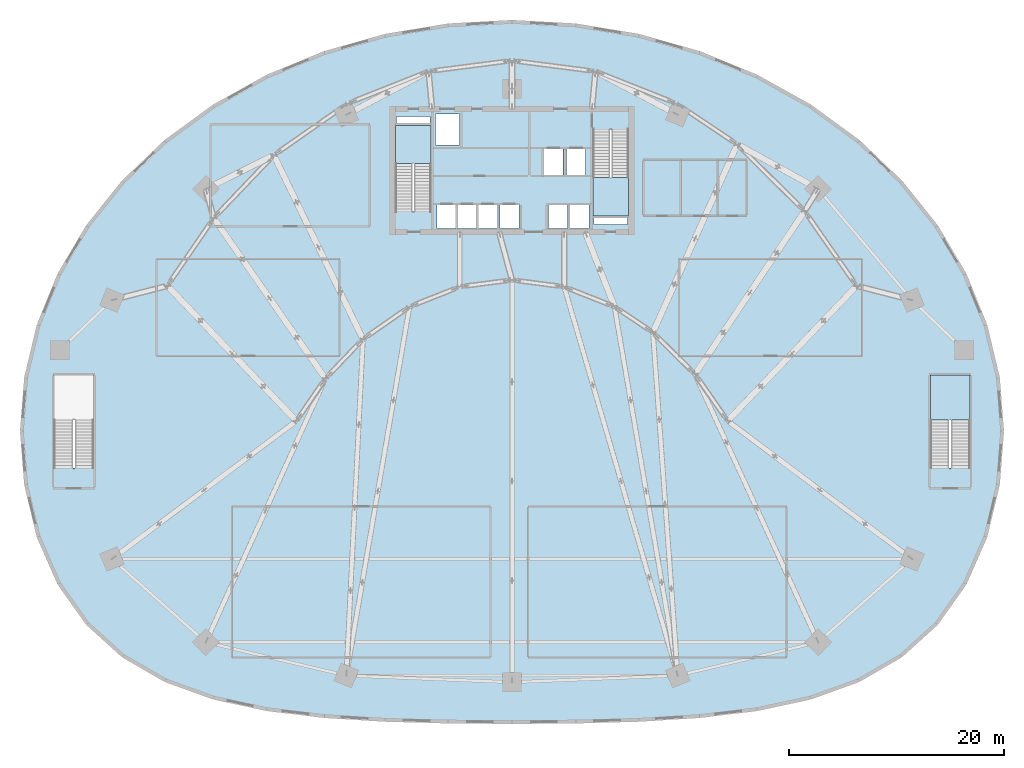
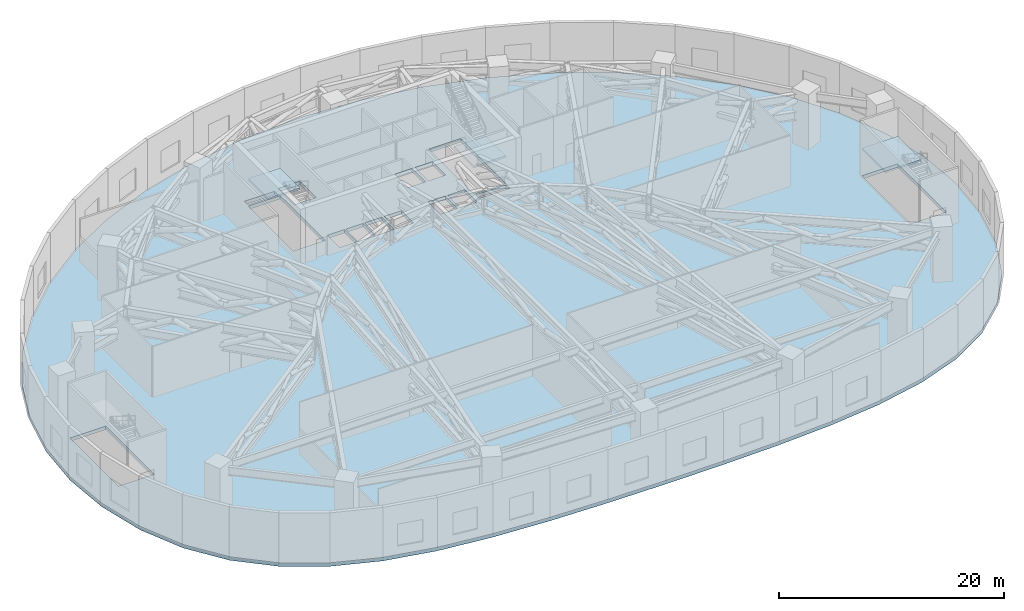
# One storey, part 7 of 19: 4 slabs, 3 elements without a shape of their own.
"""IFC4 building model written with IfcOpenShell, lengths in metres."""

from ifc_helpers import new_model, si_unit, direction, frame, origin, place, context, subcontext, project, spatial, polyline, outline, extrude, material, layer, layer_set, type_object, element, aggregate, save


model = new_model("IFC4")

# Units and contexts
model_context = context("Model", 3, precision=1e-05, world=origin(), true_north=direction((0.0, 1.0)))
body_context = subcontext(model_context, "Body", "Model", "MODEL_VIEW")
ifc_project = project(units=[si_unit("LENGTHUNIT", "METRE"), si_unit("AREAUNIT", "SQUARE_METRE"), si_unit("VOLUMEUNIT", "CUBIC_METRE"), si_unit("PLANEANGLEUNIT", "RADIAN"), si_unit("MASSUNIT", "GRAM", prefix="KILO")], contexts=[model_context])

# Site, building, storey
site_placement = place(None, origin())
site = spatial("IfcSite", under=ifc_project, at=site_placement, CompositionType="ELEMENT")
building_placement = place(site_placement, origin())
building = spatial("IfcBuilding", under=site, at=building_placement, Name="Breltana Convention Tower", CompositionType="ELEMENT")
storey_placement = place(building_placement, frame((0.0, 0.0, 24.0)))
storey = spatial("IfcBuildingStorey", under=building, at=storey_placement, Name="L04", CompositionType="ELEMENT", Elevation=24.0)

# Stair, slab
ifc_material_1 = material(Name="Concrete C40/50", Category="concrete")
stair_type_1 = type_object("IfcStairType", Name="ST-DOG-1560-R176", PredefinedType="HALF_TURN_STAIR", material=ifc_material_1)
stair_1_placement = place(storey_placement, origin())
stair_1 = element("IfcStair", 1, at=stair_1_placement, inside=storey, type_object=stair_type_1, Name="L04 Protected Core Exit Stair ST-1", PredefinedType="HALF_TURN_STAIR")
ifc_layer_1 = layer(ifc_material_1, 0.199951171875, Name="Concrete C40/50")
ifc_layer_set_1 = layer_set([ifc_layer_1], Name="Concrete C40/50")
slab_type_1 = type_object("IfcSlabType", Name="SL-STAIR-LANDING-200", PredefinedType="LANDING", material=ifc_layer_set_1)
slab_1_placement = place(storey_placement, frame((0.0, 0.0, 2.800048828125)))
slab_1 = element("IfcSlab", 2, at=slab_1_placement, type_object=slab_type_1, Name="ST-1 landing 1", PredefinedType="LANDING", context=body_context, shape_type="SweptSolid", body=[
    extrude(outline(polyline([(40.469970703125, 66.840087890625), (40.469970703125, 70.39990234375), (37.199951171875, 70.39990234375), (37.199951171875, 66.840087890625), (40.469970703125, 66.840087890625)])), origin(), (0.0, 0.0, 1.0), 0.199951171875),
])
aggregate(stair_1, [slab_1])

stair_2_placement = place(storey_placement, origin())
stair_2 = element("IfcStair", 3, at=stair_2_placement, inside=storey, type_object=stair_type_1, Name="L04 Protected Core Exit Stair ST-2", PredefinedType="HALF_TURN_STAIR")
slab_2_placement = place(storey_placement, frame((0.0, 0.0, 2.800048828125)))
slab_2 = element("IfcSlab", 4, at=slab_2_placement, type_object=slab_type_1, Name="ST-2 landing 1", PredefinedType="LANDING", context=body_context, shape_type="SweptSolid", body=[
    extrude(outline(polyline([(55.530029296875, 65.56005859375), (55.530029296875, 62.0), (58.800048828125, 62.0), (58.800048828125, 65.56005859375), (55.530029296875, 65.56005859375)])), origin(), (0.0, 0.0, 1.0), 0.199951171875),
])
aggregate(stair_2, [slab_2])

stair_type_2 = type_object("IfcStairType", Name="ST-DOG-1760-R176", PredefinedType="HALF_TURN_STAIR", material=ifc_material_1)
stair_3_placement = place(storey_placement, origin())
stair_3 = element("IfcStair", 5, at=stair_3_placement, inside=storey, type_object=stair_type_2, Name="L04 Protected Podium Exit Stair ST-4", PredefinedType="HALF_TURN_STAIR")
slab_3_placement = place(storey_placement, frame((0.0, 0.0, 2.800048828125)))
slab_3 = element("IfcSlab", 6, at=slab_3_placement, type_object=slab_type_1, Name="ST-4 landing 1", PredefinedType="LANDING", context=body_context, shape_type="SweptSolid", body=[
    extrude(outline(polyline([(90.5, 43.0400390625), (90.5, 47.199951171875), (86.830078125, 47.199951171875), (86.830078125, 43.0400390625), (90.5, 43.0400390625)])), origin(), (0.0, 0.0, 1.0), 0.199951171875),
])
aggregate(stair_3, [slab_3])

# Slab
ifc_material_2 = material(Name="Concrete C50/60", Category="concrete")
ifc_layer_2 = layer(ifc_material_2, 0.3798828125, Name="Concrete C50/60")
ifc_layer_set_2 = layer_set([ifc_layer_2], Name="Concrete C50/60")
slab_type_2 = type_object("IfcSlabType", Name="SL-TRANS-380", PredefinedType="FLOOR", material=ifc_layer_set_2)
slab_4_placement = place(storey_placement, frame((0.0, 0.0, -0.3798828125)))
element("IfcSlab", 7, at=slab_4_placement, inside=storey, type_object=slab_type_2, Name="L04 Suspended Structural Floor Slab", PredefinedType="FLOOR", context=body_context, shape_type="SweptSolid", body=[
    extrude(outline(polyline([(93.5, 42.0), (93.110595703125, 46.9599609375), (91.94970703125, 51.835205078125), (90.03662109375, 56.5419921875), (87.404296875, 61.0), (84.09765625, 65.1328125), (80.17333984375, 68.8701171875), (75.698486328125, 72.1474609375), (70.75, 74.908935546875), (65.412109375, 77.107421875), (59.7763671875, 78.705078125), (53.93896484375, 79.6748046875), (48.0, 80.0), (42.06103515625, 79.6748046875), (36.2236328125, 78.705078125), (30.587890625, 77.107421875), (25.25, 74.908935546875), (20.301513671875, 72.1474609375), (15.82666015625, 68.8701171875), (11.90234375, 65.1328125), (8.595703125, 61.0), (5.96337890625, 56.5419921875), (4.05029296875, 51.835205078125), (2.889404296875, 46.9599609375), (2.5, 42.0), (2.889404296875, 37.0400390625), (4.05029296875, 32.20849609375), (5.96337890625, 27.854248046875), (8.595703125, 24.14501953125), (11.90234375, 21.154052734375), (15.82666015625, 18.880615234375), (20.301513671875, 17.2626953125), (25.25, 16.196044921875), (30.587890625, 15.552734375), (36.2236328125, 15.205078125), (42.06103515625, 15.044921875), (48.0, 15.0), (53.93896484375, 15.044921875), (59.7763671875, 15.205078125), (65.412109375, 15.552734375), (70.75, 16.196044921875), (75.698486328125, 17.2626953125), (80.17333984375, 18.880615234375), (84.09765625, 21.154052734375), (87.404296875, 24.14501953125), (90.03662109375, 27.854248046875), (91.94970703125, 32.20849609375), (93.110595703125, 37.0400390625), (93.5, 42.0)]), holes=[polyline([(37.199951171875, 62.385009765625), (40.469970703125, 62.385009765625), (40.469970703125, 70.39990234375), (37.199951171875, 70.39990234375), (37.199951171875, 62.385009765625)]), polyline([(55.530029296875, 62.0), (58.800048828125, 62.0), (58.800048828125, 70.014892578125), (55.530029296875, 70.014892578125), (55.530029296875, 62.0)]), polyline([(5.5, 38.5849609375), (9.169921875, 38.5849609375), (9.169921875, 47.199951171875), (5.5, 47.199951171875), (5.5, 38.5849609375)]), polyline([(86.830078125, 38.5849609375), (90.5, 38.5849609375), (90.5, 47.199951171875), (86.830078125, 47.199951171875), (86.830078125, 38.5849609375)]), polyline([(41.0400390625, 60.800048828125), (42.800048828125, 60.800048828125), (42.800048828125, 62.97998046875), (41.0400390625, 62.97998046875), (41.0400390625, 60.800048828125)]), polyline([(42.93994140625, 60.800048828125), (44.699951171875, 60.800048828125), (44.699951171875, 62.97998046875), (42.93994140625, 62.97998046875), (42.93994140625, 60.800048828125)]), polyline([(44.8701171875, 60.800048828125), (46.6298828125, 60.800048828125), (46.6298828125, 62.97998046875), (44.8701171875, 62.97998046875), (44.8701171875, 60.800048828125)]), polyline([(46.8701171875, 60.800048828125), (48.6298828125, 60.800048828125), (48.6298828125, 62.97998046875), (46.8701171875, 62.97998046875), (46.8701171875, 60.800048828125)]), polyline([(51.39990234375, 60.800048828125), (53.159912109375, 60.800048828125), (53.159912109375, 62.97998046875), (51.39990234375, 62.97998046875), (51.39990234375, 60.800048828125)]), polyline([(53.39990234375, 60.800048828125), (55.159912109375, 60.800048828125), (55.159912109375, 62.97998046875), (53.39990234375, 62.97998046875), (53.39990234375, 60.800048828125)]), polyline([(50.969970703125, 65.800048828125), (52.72998046875, 65.800048828125), (52.72998046875, 68.179931640625), (50.969970703125, 68.179931640625), (50.969970703125, 65.800048828125)]), polyline([(53.070068359375, 65.800048828125), (54.830078125, 65.800048828125), (54.830078125, 68.179931640625), (53.070068359375, 68.179931640625), (53.070068359375, 65.800048828125)]), polyline([(40.8798828125, 68.550048828125), (43.1201171875, 68.550048828125), (43.1201171875, 71.449951171875), (40.8798828125, 71.449951171875), (40.8798828125, 68.550048828125)]), polyline([(37.300048828125, 70.60009765625), (40.3798828125, 70.60009765625), (40.3798828125, 71.219970703125), (37.300048828125, 71.219970703125), (37.300048828125, 70.60009765625)]), polyline([(55.6201171875, 61.179931640625), (58.699951171875, 61.179931640625), (58.699951171875, 61.800048828125), (55.6201171875, 61.800048828125), (55.6201171875, 61.179931640625)])]), origin(), (0.0, 0.0, 1.0), 0.3798828125),
])

save(model, "model.ifc")
